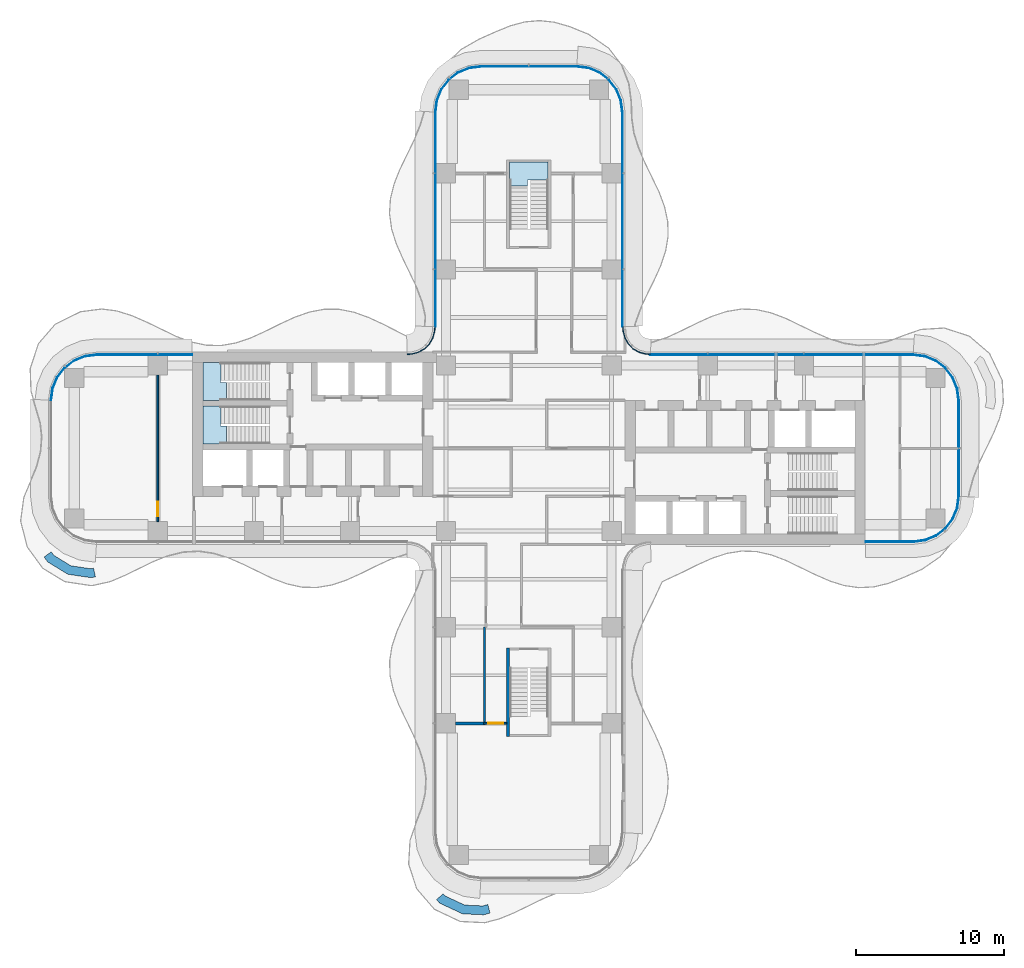
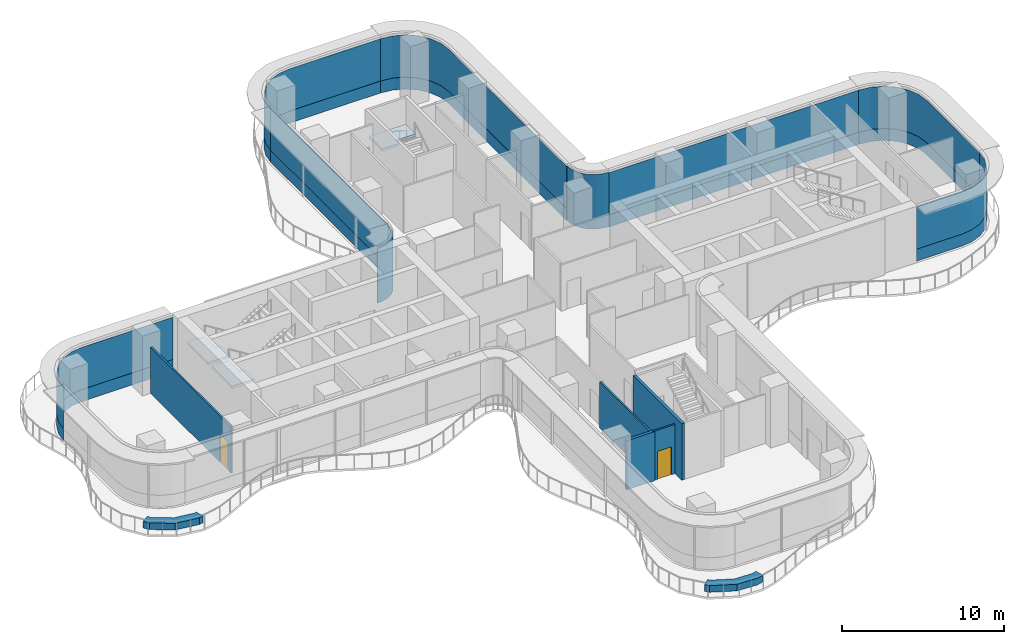
# One storey, part 15 of 21: 16 plates, 7 walls, 3 slabs, 2 doors, 2 openings, 12 elements without a shape of their own.
"""IFC4 building model written with IfcOpenShell, lengths in metres."""

from ifc_helpers import new_model, si_unit, direction, frame, frame_2d, origin, place, context, subcontext, project, spatial, polyline, rectangle, outline, extrude, source, transform, mapped, material, layer, layer_set, type_object, element, fill, aggregate, save


model = new_model("IFC4")

# Units and contexts
model_context = context("Model", 3, precision=1e-05, world=origin(), true_north=direction((0.0, 1.0)))
body_context = subcontext(model_context, "Body", "Model", "MODEL_VIEW")
ifc_project = project(units=[si_unit("LENGTHUNIT", "METRE"), si_unit("AREAUNIT", "SQUARE_METRE"), si_unit("VOLUMEUNIT", "CUBIC_METRE"), si_unit("PLANEANGLEUNIT", "RADIAN"), si_unit("MASSUNIT", "GRAM", prefix="KILO")], contexts=[model_context])

# Site, building, storey
site_placement = place(None, origin())
site = spatial("IfcSite", under=ifc_project, at=site_placement, CompositionType="ELEMENT")
building_placement = place(site_placement, origin())
building = spatial("IfcBuilding", under=site, at=building_placement, Name="Trellis Farm Tower", CompositionType="ELEMENT")
storey_placement = place(building_placement, frame((0.0, 0.0, 106.5)))
storey = spatial("IfcBuildingStorey", under=building, at=storey_placement, Name="L22", CompositionType="ELEMENT", Elevation=106.5)

# Stair, slab
ifc_material_1 = material(Name="Concrete C50/60", Category="concrete")
stair_type = type_object("IfcStairType", Name="CORE EXIT STAIR 26 RISERS 173 MM", PredefinedType="HALF_TURN_STAIR", material=ifc_material_1)
placement_1 = place(storey_placement, origin())
stair_1 = element("IfcStair", 1, at=placement_1, inside=storey, type_object=stair_type, Name="Exit stair N", PredefinedType="HALF_TURN_STAIR")
ifc_layer_1 = layer(ifc_material_1, 0.18994140625)
ifc_layer_set_1 = layer_set([ifc_layer_1], Name="CORE STAIR LANDING 190 CONCRETE C50/60")
slab_type = type_object("IfcSlabType", Name="CORE STAIR LANDING 190 CONCRETE C50/60", PredefinedType="LANDING", material=ifc_layer_set_1)
shared_shape_1 = source(origin(), body_context, "Body", "SweptSolid", [
    extrude(outline(polyline([(-0.10009765625, 17.753173828125), (-1.300048828125, 17.753173828125), (-1.300048828125, 18.14990234375), (-1.300048828125, 19.35009765625), (1.300048828125, 19.35009765625), (1.300048828125, 18.14990234375), (1.300048828125, 18.139892578125), (0.10009765625, 18.139892578125), (0.10009765625, 18.14990234375), (-0.10009765625, 18.14990234375), (-0.10009765625, 17.753173828125)])), origin(), (0.0, 0.0, 1.0), 0.18994140625),
])
placement_2 = place(storey_placement, frame((0.0, 0.0, 2.06005859375)))
slab_1 = element("IfcSlab", 2, at=placement_2, type_object=slab_type, Name="STN landing 1", PredefinedType="LANDING", context=body_context, shape_type="MappedRepresentation", body=[
    mapped(shared_shape_1, transform((0.0, 0.0, 0.0))),
])
aggregate(stair_1, [slab_1])

stair_2 = element("IfcStair", 3, at=placement_1, inside=storey, type_object=stair_type, Name="Exit stair W1", PredefinedType="HALF_TURN_STAIR")
shared_shape_2 = source(origin(), body_context, "Body", "SweptSolid", [
    extrude(outline(polyline([(-20.453125, 4.449951171875), (-20.453125, 3.25), (-20.85009765625, 3.25), (-22.050048828125, 3.25), (-22.050048828125, 5.800048828125), (-20.85009765625, 5.800048828125), (-20.840087890625, 5.800048828125), (-20.840087890625, 4.60009765625), (-20.85009765625, 4.60009765625), (-20.85009765625, 4.449951171875), (-20.453125, 4.449951171875)])), origin(), (0.0, 0.0, 1.0), 0.18994140625),
])
slab_2 = element("IfcSlab", 4, at=placement_2, type_object=slab_type, Name="STW1 landing 1", PredefinedType="LANDING", context=body_context, shape_type="MappedRepresentation", body=[
    mapped(shared_shape_2, transform((0.0, 0.0, 0.0))),
])
aggregate(stair_2, [slab_2])

stair_3 = element("IfcStair", 5, at=placement_1, inside=storey, type_object=stair_type, Name="Exit stair W2", PredefinedType="HALF_TURN_STAIR")
shared_shape_3 = source(origin(), body_context, "Body", "SweptSolid", [
    extrude(outline(polyline([(-20.453125, 1.5), (-20.453125, 0.300048828125), (-20.85009765625, 0.300048828125), (-22.050048828125, 0.300048828125), (-22.050048828125, 2.85009765625), (-20.85009765625, 2.85009765625), (-20.840087890625, 2.85009765625), (-20.840087890625, 1.64990234375), (-20.85009765625, 1.64990234375), (-20.85009765625, 1.5), (-20.453125, 1.5)])), origin(), (0.0, 0.0, 1.0), 0.18994140625),
])
slab_3 = element("IfcSlab", 6, at=placement_2, type_object=slab_type, Name="STW2 landing 1", PredefinedType="LANDING", context=body_context, shape_type="MappedRepresentation", body=[
    mapped(shared_shape_3, transform((0.0, 0.0, 0.0))),
])
aggregate(stair_3, [slab_3])

# Curtain wall, plate
ifc_material_2 = material(Name="Aluminium and glass curtain wall", Category="aluminium")
ifc_layer_2 = layer(ifc_material_2, 0.166015625)
ifc_layer_set_2 = layer_set([ifc_layer_2], Name="WINTER GARDEN CURTAIN WALL CW3")
curtain_wall_type_1 = type_object("IfcCurtainWallType", Name="WINTER GARDEN CURTAIN WALL CW3", PredefinedType="NOTDEFINED", material=ifc_layer_set_2)
curtain_wall_1 = element("IfcCurtainWall", 7, at=placement_1, inside=storey, type_object=curtain_wall_type_1, Name="CW3 003", PredefinedType="NOTDEFINED")
ifc_material_3 = material(Name="Clear insulated glass", Category="glass")
ifc_layer_3 = layer(ifc_material_3, 0.0458984375)
ifc_layer_set_3 = layer_set([ifc_layer_3], Name="CW3 GLASS PANEL 46")
plate_type_1 = type_object("IfcPlateType", Name="CW3 GLASS PANEL 46", PredefinedType="CURTAIN_PANEL", material=ifc_layer_set_3)
shared_shape_4 = source(origin(), body_context, "Body", "SweptSolid", [
    extrude(outline(polyline([(8.2275390625, 6.3798828125), (8.0078125, 6.394287109375), (7.89208984375, 6.40966796875), (7.462158203125, 6.52490234375), (7.070556640625, 6.7509765625), (6.7509765625, 7.070556640625), (6.52490234375, 7.462158203125), (6.40966796875, 7.89208984375), (6.394287109375, 8.0078125), (6.3798828125, 8.2275390625), (6.333984375, 8.22607421875), (6.3486328125, 8.003173828125), (6.364501953125, 7.883056640625), (6.48193359375, 7.4443359375), (6.714111328125, 7.04248046875), (7.04248046875, 6.714111328125), (7.4443359375, 6.48193359375), (7.883056640625, 6.364501953125), (8.003173828125, 6.3486328125), (8.22607421875, 6.333984375), (8.2275390625, 6.3798828125)])), origin(), (0.0, 0.0, 1.0), 4.10009765625),
])
plate_1 = element("IfcPlate", 8, at=placement_1, type_object=plate_type_1, Name="PL3 003", PredefinedType="CURTAIN_PANEL", context=body_context, shape_type="MappedRepresentation", body=[
    mapped(shared_shape_4, transform((0.0, 0.0, 0.0))),
])
aggregate(curtain_wall_1, [plate_1])

curtain_wall_2 = element("IfcCurtainWall", 9, at=placement_1, inside=storey, type_object=curtain_wall_type_1, Name="CW3 004", PredefinedType="NOTDEFINED")
shared_shape_5 = source(origin(), body_context, "Body", "SweptSolid", [
    extrude(outline(polyline([(-6.3798828125, 8.2275390625), (-6.394287109375, 8.0078125), (-6.40966796875, 7.89208984375), (-6.52490234375, 7.462158203125), (-6.7509765625, 7.070556640625), (-7.070556640625, 6.7509765625), (-7.462158203125, 6.52490234375), (-7.89208984375, 6.40966796875), (-8.0078125, 6.394287109375), (-8.2275390625, 6.3798828125), (-8.22607421875, 6.333984375), (-8.003173828125, 6.3486328125), (-7.883056640625, 6.364501953125), (-7.4443359375, 6.48193359375), (-7.04248046875, 6.714111328125), (-6.714111328125, 7.04248046875), (-6.48193359375, 7.4443359375), (-6.364501953125, 7.883056640625), (-6.3486328125, 8.003173828125), (-6.333984375, 8.22607421875), (-6.3798828125, 8.2275390625)])), origin(), (0.0, 0.0, 1.0), 4.10009765625),
])
plate_2 = element("IfcPlate", 10, at=placement_1, type_object=plate_type_1, Name="PL3 004", PredefinedType="CURTAIN_PANEL", context=body_context, shape_type="MappedRepresentation", body=[
    mapped(shared_shape_5, transform((0.0, 0.0, 0.0))),
])
aggregate(curtain_wall_2, [plate_2])

# Curtain wall, plates
ifc_layer_4 = layer(ifc_material_2, 0.18994140625)
ifc_layer_set_4 = layer_set([ifc_layer_4], Name="RIBBON CURTAIN WALL CW1")
curtain_wall_type_2 = type_object("IfcCurtainWallType", Name="RIBBON CURTAIN WALL CW1", PredefinedType="NOTDEFINED", material=ifc_layer_set_4)
curtain_wall_3 = element("IfcCurtainWall", 11, at=placement_1, inside=storey, type_object=curtain_wall_type_2, Name="CW1 012", PredefinedType="NOTDEFINED")
ifc_layer_5 = layer(ifc_material_3, 0.0400390625)
ifc_layer_set_5 = layer_set([ifc_layer_5], Name="CW1 GLASS PANEL 40")
plate_type_2 = type_object("IfcPlateType", Name="CW1 GLASS PANEL 40", PredefinedType="CURTAIN_PANEL", material=ifc_layer_set_5)
shared_shape_6 = source(origin(), body_context, "Body", "SweptSolid", [
    extrude(outline(polyline([(-22.780029296875, 6.35009765625), (-29.240234375, 6.35009765625), (-30.052001953125, 6.2431640625), (-30.79931640625, 5.93359375), (-31.441162109375, 5.441162109375), (-31.93359375, 4.79931640625), (-32.2431640625, 4.052001953125), (-32.35009765625, 3.240234375), (-32.31005859375, 3.237548828125), (-32.2041015625, 4.04150390625), (-31.898681640625, 4.779296875), (-31.41259765625, 5.41259765625), (-30.779296875, 5.898681640625), (-30.04150390625, 6.2041015625), (-29.237548828125, 6.31005859375), (-22.780029296875, 6.31005859375), (-22.780029296875, 6.35009765625)])), origin(), (0.0, 0.0, 1.0), 3.170166015625),
])
placement_3 = place(storey_placement, frame((0.0, 0.0, 0.89990234375)))
plate_3 = element("IfcPlate", 12, at=placement_3, type_object=plate_type_2, Name="PL1 012", PredefinedType="CURTAIN_PANEL", context=body_context, shape_type="MappedRepresentation", body=[
    mapped(shared_shape_6, transform((0.0, 0.0, 0.0))),
])
ifc_material_4 = material(Name="Sandstone faced insulated panel", Category="masonry")
ifc_layer_6 = layer(ifc_material_4, 0.050048828125)
ifc_layer_set_6 = layer_set([ifc_layer_6], Name="CW1 STONE SPANDREL PANEL 50")
plate_type_3 = type_object("IfcPlateType", Name="CW1 STONE SPANDREL PANEL 50", PredefinedType="CURTAIN_PANEL", material=ifc_layer_set_6)
shared_shape_7 = source(origin(), body_context, "Body", "SweptSolid", [
    extrude(outline(polyline([(-22.780029296875, 6.35009765625), (-29.240234375, 6.35009765625), (-30.052001953125, 6.2431640625), (-30.79931640625, 5.93359375), (-31.441162109375, 5.441162109375), (-31.93359375, 4.79931640625), (-32.2431640625, 4.052001953125), (-32.35009765625, 3.240234375), (-32.300048828125, 3.23681640625), (-32.1943359375, 4.0390625), (-31.889892578125, 4.774169921875), (-31.405517578125, 5.405517578125), (-30.774169921875, 5.889892578125), (-30.0390625, 6.1943359375), (-29.23681640625, 6.300048828125), (-22.780029296875, 6.300048828125), (-22.780029296875, 6.35009765625)])), origin(), (0.0, 0.0, 1.0), 0.89990234375),
])
plate_4 = element("IfcPlate", 13, at=placement_1, type_object=plate_type_3, Name="PS1 012", PredefinedType="CURTAIN_PANEL", context=body_context, shape_type="MappedRepresentation", body=[
    mapped(shared_shape_7, transform((0.0, 0.0, 0.0))),
])
aggregate(curtain_wall_3, [plate_3, plate_4])

curtain_wall_4 = element("IfcCurtainWall", 14, at=placement_1, inside=storey, type_object=curtain_wall_type_2, Name="CW1 009", PredefinedType="NOTDEFINED")
shared_shape_8 = source(origin(), body_context, "Body", "SweptSolid", [
    extrude(outline(polyline([(6.35009765625, 8.2265625), (6.35009765625, 22.740234375), (6.2431640625, 23.552001953125), (5.93359375, 24.29931640625), (5.441162109375, 24.941162109375), (4.79931640625, 25.43359375), (4.052001953125, 25.7431640625), (3.240234375, 25.85009765625), (3.237548828125, 25.81005859375), (4.04150390625, 25.7041015625), (4.779296875, 25.398681640625), (5.41259765625, 24.91259765625), (5.898681640625, 24.279296875), (6.2041015625, 23.54150390625), (6.31005859375, 22.737548828125), (6.31005859375, 8.22509765625), (6.35009765625, 8.2265625)])), origin(), (0.0, 0.0, 1.0), 3.170166015625),
])
plate_5 = element("IfcPlate", 15, at=placement_3, type_object=plate_type_2, Name="PL1 009", PredefinedType="CURTAIN_PANEL", context=body_context, shape_type="MappedRepresentation", body=[
    mapped(shared_shape_8, transform((0.0, 0.0, 0.0))),
])
shared_shape_9 = source(origin(), body_context, "Body", "SweptSolid", [
    extrude(outline(polyline([(6.35009765625, 8.2265625), (6.35009765625, 22.740234375), (6.2431640625, 23.552001953125), (5.93359375, 24.29931640625), (5.441162109375, 24.941162109375), (4.79931640625, 25.43359375), (4.052001953125, 25.7431640625), (3.240234375, 25.85009765625), (3.23681640625, 25.800048828125), (4.0390625, 25.6943359375), (4.774169921875, 25.389892578125), (5.405517578125, 24.905517578125), (5.889892578125, 24.274169921875), (6.1943359375, 23.5390625), (6.300048828125, 22.73681640625), (6.300048828125, 8.224853515625), (6.35009765625, 8.2265625)])), origin(), (0.0, 0.0, 1.0), 0.89990234375),
])
plate_6 = element("IfcPlate", 16, at=placement_1, type_object=plate_type_3, Name="PS1 009", PredefinedType="CURTAIN_PANEL", context=body_context, shape_type="MappedRepresentation", body=[
    mapped(shared_shape_9, transform((0.0, 0.0, 0.0))),
])
aggregate(curtain_wall_4, [plate_5, plate_6])

curtain_wall_5 = element("IfcCurtainWall", 17, at=placement_1, inside=storey, type_object=curtain_wall_type_2, Name="CW1 011", PredefinedType="NOTDEFINED")
shared_shape_10 = source(origin(), body_context, "Body", "SweptSolid", [
    extrude(outline(polyline([(-6.35009765625, 22.740234375), (-6.35009765625, 8.2265625), (-6.31005859375, 8.22509765625), (-6.31005859375, 22.737548828125), (-6.35009765625, 22.740234375)])), origin(), (0.0, 0.0, 1.0), 3.170166015625),
])
plate_7 = element("IfcPlate", 18, at=placement_3, type_object=plate_type_2, Name="PL1 011", PredefinedType="CURTAIN_PANEL", context=body_context, shape_type="MappedRepresentation", body=[
    mapped(shared_shape_10, transform((0.0, 0.0, 0.0))),
])
shared_shape_11 = source(origin(), body_context, "Body", "SweptSolid", [
    extrude(outline(polyline([(-6.35009765625, 22.740234375), (-6.35009765625, 8.2265625), (-6.300048828125, 8.224853515625), (-6.300048828125, 22.73681640625), (-6.35009765625, 22.740234375)])), origin(), (0.0, 0.0, 1.0), 0.89990234375),
])
plate_8 = element("IfcPlate", 19, at=placement_1, type_object=plate_type_3, Name="PS1 011", PredefinedType="CURTAIN_PANEL", context=body_context, shape_type="MappedRepresentation", body=[
    mapped(shared_shape_11, transform((0.0, 0.0, 0.0))),
])
aggregate(curtain_wall_5, [plate_7, plate_8])

curtain_wall_6 = element("IfcCurtainWall", 20, at=placement_1, inside=storey, type_object=curtain_wall_type_2, Name="CW1 010", PredefinedType="NOTDEFINED")
shared_shape_12 = source(origin(), body_context, "Body", "SweptSolid", [
    extrude(outline(polyline([(3.240234375, 25.85009765625), (-3.240234375, 25.85009765625), (-4.052001953125, 25.7431640625), (-4.79931640625, 25.43359375), (-5.441162109375, 24.941162109375), (-5.93359375, 24.29931640625), (-6.2431640625, 23.552001953125), (-6.35009765625, 22.740234375), (-6.31005859375, 22.737548828125), (-6.2041015625, 23.54150390625), (-5.898681640625, 24.279296875), (-5.41259765625, 24.91259765625), (-4.779296875, 25.398681640625), (-4.04150390625, 25.7041015625), (-3.237548828125, 25.81005859375), (3.237548828125, 25.81005859375), (3.240234375, 25.85009765625)])), origin(), (0.0, 0.0, 1.0), 3.170166015625),
])
plate_9 = element("IfcPlate", 21, at=placement_3, type_object=plate_type_2, Name="PL1 010", PredefinedType="CURTAIN_PANEL", context=body_context, shape_type="MappedRepresentation", body=[
    mapped(shared_shape_12, transform((0.0, 0.0, 0.0))),
])
shared_shape_13 = source(origin(), body_context, "Body", "SweptSolid", [
    extrude(outline(polyline([(3.240234375, 25.85009765625), (-3.240234375, 25.85009765625), (-4.052001953125, 25.7431640625), (-4.79931640625, 25.43359375), (-5.441162109375, 24.941162109375), (-5.93359375, 24.29931640625), (-6.2431640625, 23.552001953125), (-6.35009765625, 22.740234375), (-6.300048828125, 22.73681640625), (-6.1943359375, 23.5390625), (-5.889892578125, 24.274169921875), (-5.405517578125, 24.905517578125), (-4.774169921875, 25.389892578125), (-4.0390625, 25.6943359375), (-3.23681640625, 25.800048828125), (3.23681640625, 25.800048828125), (3.240234375, 25.85009765625)])), origin(), (0.0, 0.0, 1.0), 0.89990234375),
])
plate_10 = element("IfcPlate", 22, at=placement_1, type_object=plate_type_3, Name="PS1 010", PredefinedType="CURTAIN_PANEL", context=body_context, shape_type="MappedRepresentation", body=[
    mapped(shared_shape_13, transform((0.0, 0.0, 0.0))),
])
aggregate(curtain_wall_6, [plate_9, plate_10])

curtain_wall_7 = element("IfcCurtainWall", 23, at=placement_1, inside=storey, type_object=curtain_wall_type_2, Name="CW1 006", PredefinedType="NOTDEFINED")
shared_shape_14 = source(origin(), body_context, "Body", "SweptSolid", [
    extrude(outline(polyline([(22.780029296875, -6.35009765625), (25.990234375, -6.35009765625), (26.802001953125, -6.2431640625), (27.54931640625, -5.93359375), (28.191162109375, -5.441162109375), (28.68359375, -4.79931640625), (28.9931640625, -4.052001953125), (29.10009765625, -3.240234375), (29.06005859375, -3.237548828125), (28.9541015625, -4.04150390625), (28.648681640625, -4.779296875), (28.16259765625, -5.41259765625), (27.529296875, -5.898681640625), (26.79150390625, -6.2041015625), (25.987548828125, -6.31005859375), (22.780029296875, -6.31005859375), (22.780029296875, -6.35009765625)])), origin(), (0.0, 0.0, 1.0), 3.170166015625),
])
plate_11 = element("IfcPlate", 24, at=placement_3, type_object=plate_type_2, Name="PL1 006", PredefinedType="CURTAIN_PANEL", context=body_context, shape_type="MappedRepresentation", body=[
    mapped(shared_shape_14, transform((0.0, 0.0, 0.0))),
])
shared_shape_15 = source(origin(), body_context, "Body", "SweptSolid", [
    extrude(outline(polyline([(22.780029296875, -6.35009765625), (25.990234375, -6.35009765625), (26.802001953125, -6.2431640625), (27.54931640625, -5.93359375), (28.191162109375, -5.441162109375), (28.68359375, -4.79931640625), (28.9931640625, -4.052001953125), (29.10009765625, -3.240234375), (29.050048828125, -3.23681640625), (28.9443359375, -4.0390625), (28.639892578125, -4.774169921875), (28.155517578125, -5.405517578125), (27.524169921875, -5.889892578125), (26.7890625, -6.1943359375), (25.98681640625, -6.300048828125), (22.780029296875, -6.300048828125), (22.780029296875, -6.35009765625)])), origin(), (0.0, 0.0, 1.0), 0.89990234375),
])
plate_12 = element("IfcPlate", 25, at=placement_1, type_object=plate_type_3, Name="PS1 006", PredefinedType="CURTAIN_PANEL", context=body_context, shape_type="MappedRepresentation", body=[
    mapped(shared_shape_15, transform((0.0, 0.0, 0.0))),
])
aggregate(curtain_wall_7, [plate_11, plate_12])

curtain_wall_8 = element("IfcCurtainWall", 26, at=placement_1, inside=storey, type_object=curtain_wall_type_2, Name="CW1 008", PredefinedType="NOTDEFINED")
shared_shape_16 = source(origin(), body_context, "Body", "SweptSolid", [
    extrude(outline(polyline([(25.990234375, 6.35009765625), (8.2265625, 6.35009765625), (8.22509765625, 6.31005859375), (25.987548828125, 6.31005859375), (25.990234375, 6.35009765625)])), origin(), (0.0, 0.0, 1.0), 3.170166015625),
])
plate_13 = element("IfcPlate", 27, at=placement_3, type_object=plate_type_2, Name="PL1 008", PredefinedType="CURTAIN_PANEL", context=body_context, shape_type="MappedRepresentation", body=[
    mapped(shared_shape_16, transform((0.0, 0.0, 0.0))),
])
shared_shape_17 = source(origin(), body_context, "Body", "SweptSolid", [
    extrude(outline(polyline([(25.990234375, 6.35009765625), (8.2265625, 6.35009765625), (8.224853515625, 6.300048828125), (25.98681640625, 6.300048828125), (25.990234375, 6.35009765625)])), origin(), (0.0, 0.0, 1.0), 0.89990234375),
])
plate_14 = element("IfcPlate", 28, at=placement_1, type_object=plate_type_3, Name="PS1 008", PredefinedType="CURTAIN_PANEL", context=body_context, shape_type="MappedRepresentation", body=[
    mapped(shared_shape_17, transform((0.0, 0.0, 0.0))),
])
aggregate(curtain_wall_8, [plate_13, plate_14])

curtain_wall_9 = element("IfcCurtainWall", 29, at=placement_1, inside=storey, type_object=curtain_wall_type_2, Name="CW1 007", PredefinedType="NOTDEFINED")
shared_shape_18 = source(origin(), body_context, "Body", "SweptSolid", [
    extrude(outline(polyline([(29.10009765625, -3.240234375), (29.10009765625, 3.240234375), (28.9931640625, 4.052001953125), (28.68359375, 4.79931640625), (28.191162109375, 5.441162109375), (27.54931640625, 5.93359375), (26.802001953125, 6.2431640625), (25.990234375, 6.35009765625), (25.987548828125, 6.31005859375), (26.79150390625, 6.2041015625), (27.529296875, 5.898681640625), (28.16259765625, 5.41259765625), (28.648681640625, 4.779296875), (28.9541015625, 4.04150390625), (29.06005859375, 3.237548828125), (29.06005859375, -3.237548828125), (29.10009765625, -3.240234375)])), origin(), (0.0, 0.0, 1.0), 3.170166015625),
])
plate_15 = element("IfcPlate", 30, at=placement_3, type_object=plate_type_2, Name="PL1 007", PredefinedType="CURTAIN_PANEL", context=body_context, shape_type="MappedRepresentation", body=[
    mapped(shared_shape_18, transform((0.0, 0.0, 0.0))),
])
shared_shape_19 = source(origin(), body_context, "Body", "SweptSolid", [
    extrude(outline(polyline([(29.10009765625, -3.240234375), (29.10009765625, 3.240234375), (28.9931640625, 4.052001953125), (28.68359375, 4.79931640625), (28.191162109375, 5.441162109375), (27.54931640625, 5.93359375), (26.802001953125, 6.2431640625), (25.990234375, 6.35009765625), (25.98681640625, 6.300048828125), (26.7890625, 6.1943359375), (27.524169921875, 5.889892578125), (28.155517578125, 5.405517578125), (28.639892578125, 4.774169921875), (28.9443359375, 4.0390625), (29.050048828125, 3.23681640625), (29.050048828125, -3.23681640625), (29.10009765625, -3.240234375)])), origin(), (0.0, 0.0, 1.0), 0.89990234375),
])
plate_16 = element("IfcPlate", 31, at=placement_1, type_object=plate_type_3, Name="PS1 007", PredefinedType="CURTAIN_PANEL", context=body_context, shape_type="MappedRepresentation", body=[
    mapped(shared_shape_19, transform((0.0, 0.0, 0.0))),
])
aggregate(curtain_wall_9, [plate_15, plate_16])

# Walls
ifc_material_5 = material(Name="Sandstone faced masonry planter", Category="masonry")
ifc_layer_7 = layer(ifc_material_5, 0.60009765625)
ifc_layer_set_7 = layer_set([ifc_layer_7], Name="PLANTER BED 600")
wall_type_1 = type_object("IfcWallType", Name="PLANTER BED 600", PredefinedType="USERDEFINED", material=ifc_layer_set_7)
element("IfcWall", 32, at=placement_1, inside=storey, type_object=wall_type_1, Name="PLANTER bed", ObjectType="PLANTER", PredefinedType="USERDEFINED", context=body_context, shape_type="SweptSolid", body=[
    extrude(outline(polyline([(-29.606201171875, -8.75537109375), (-31.189697265625, -8.518798828125), (-32.551513671875, -7.685302734375), (-32.7919921875, -7.3505859375), (-32.3046875, -7.000244140625), (-32.135009765625, -7.23681640625), (-30.98046875, -7.943603515625), (-29.626708984375, -8.1455078125), (-29.446044921875, -8.10595703125), (-29.317626953125, -8.692138671875), (-29.606201171875, -8.75537109375)])), origin(), (0.0, 0.0, 1.0), 0.5),
])
element("IfcWall", 33, at=placement_1, inside=storey, type_object=wall_type_1, Name="PLANTER bed", ObjectType="PLANTER", PredefinedType="USERDEFINED", context=body_context, shape_type="SweptSolid", body=[
    extrude(outline(polyline([(-4.49169921875, -31.488525390625), (-6.04541015625, -30.76220703125), (-6.249267578125, -30.525146484375), (-5.79443359375, -30.1337890625), (-5.674560546875, -30.273193359375), (-4.34521484375, -30.89453125), (-3.12353515625, -30.950927734375), (-2.77587890625, -30.85986328125), (-2.62353515625, -31.440185546875), (-3.059814453125, -31.5546875), (-4.49169921875, -31.488525390625)])), origin(), (0.0, 0.0, 1.0), 0.5),
])
ifc_material_6 = material(Name="Concrete C70/85", Category="concrete")
ifc_layer_8 = layer(ifc_material_6, 0.199951171875)
ifc_layer_set_8 = layer_set([ifc_layer_8], Name="CORE STAIR ENCLOSURE WALL 200 CONCRETE C70/85")
wall_type_2 = type_object("IfcWallType", Name="CORE STAIR ENCLOSURE WALL 200 CONCRETE C70/85", PredefinedType="SHEAR", material=ifc_layer_set_8)
shared_shape_20 = source(origin(), body_context, "Body", "SweptSolid", [
    extrude(rectangle(XDim=6.0, YDim=0.199951171875, at=frame_2d((3.0, 0.0))), origin(), (0.0, 0.0, 1.0), 4.25),
])
wall_3_placement = place(storey_placement, frame((-1.39990234375, -13.5, 0.0), z_axis=(0.0, 0.0, 1.0), x_axis=(0.0, -1.0, 0.0)))
element("IfcWall", 34, at=wall_3_placement, inside=storey, type_object=wall_type_2, Name="Stair enclosure wall", PredefinedType="SHEAR", context=body_context, shape_type="MappedRepresentation", body=[
    mapped(shared_shape_20, transform((0.0, 0.0, 0.0))),
])

# Wall, opening, door
ifc_material_7 = material(Name="Plasterboard on steel studs, mineral wool", Category="steel")
ifc_layer_9 = layer(ifc_material_7, 0.125)
ifc_layer_set_9 = layer_set([ifc_layer_9], Name="PARTITION 125 STUD EI 60")
wall_type_3 = type_object("IfcWallType", Name="PARTITION 125 STUD EI 60", PredefinedType="PARTITIONING", material=ifc_layer_set_9)
shared_shape_21 = source(origin(), body_context, "Body", "SweptSolid", [
    extrude(rectangle(XDim=1.5625, YDim=0.125, at=frame_2d((0.78125, 0.0))), origin(), (0.0, 0.0, 1.0), 3.697021484375),
])
wall_4_placement = place(storey_placement, frame((-1.5, -18.60009765625, 0.0), z_axis=(0.0, 0.0, 1.0), x_axis=(-1.0, 0.0, 0.0)))
wall_4 = element("IfcWall", 35, at=wall_4_placement, inside=storey, type_object=wall_type_3, Name="Partition PW1", PredefinedType="PARTITIONING", context=body_context, shape_type="MappedRepresentation", body=[
    mapped(shared_shape_21, transform((0.0, 0.0, 0.0))),
])
shared_shape_22 = source(origin(), body_context, "Body", "SweptSolid", [
    extrude(rectangle(XDim=1.0, YDim=2.10009765625, at=frame_2d((0.5, 1.050048828125))), frame((0.0, 0.072509765625, 0.0), z_axis=(0.0, -1.0, 0.0), x_axis=(1.0, 0.0, 0.0)), (0.0, 0.0, 1.0), 0.14501953125),
])
opening_1_placement = place(wall_4_placement, frame((0.25, 0.0, 0.0)))
opening_1 = element("IfcOpeningElement", 36, at=opening_1_placement, cuts=wall_4, Name="Opening D101", PredefinedType="OPENING", context=body_context, shape_type="MappedRepresentation", body=[
    mapped(shared_shape_22, transform((0.0, 0.0, 0.0))),
])
ifc_material_8 = material(Name="Fire-rated timber door leaf in a hollow metal frame", Category="wood")
door_type = type_object("IfcDoorType", Name="DOOR 1000x2100 FD30S", OperationType="NOTDEFINED", PredefinedType="DOOR", material=ifc_material_8)
shared_shape_23 = source(origin(), body_context, "Body", "SweptSolid", [
    extrude(rectangle(XDim=1.0, YDim=2.10009765625, at=frame_2d((0.5, 1.050048828125))), frame((0.0, 0.02490234375, 0.0), z_axis=(0.0, -1.0, 0.0), x_axis=(1.0, 0.0, 0.0)), (0.0, 0.0, 1.0), 0.050048828125),
])
door_1_placement = place(opening_1_placement, origin())
door_1 = element("IfcDoor", 37, at=door_1_placement, inside=storey, type_object=door_type, Name="Door D101", OperationType="SINGLE_SWING_LEFT", OverallHeight=2.10009765625, OverallWidth=1.0, PredefinedType="DOOR", context=body_context, shape_type="MappedRepresentation", body=[
    mapped(shared_shape_23, transform((0.0, 0.0, 0.0))),
])
fill(opening_1, door_1)

# Wall
ifc_material_9 = material(Name="Lightweight blockwork, plastered", Category="masonry")
ifc_layer_10 = layer(ifc_material_9, 0.199951171875)
ifc_layer_set_10 = layer_set([ifc_layer_10], Name="BLOCK WALL 200 EI 120")
wall_type_4 = type_object("IfcWallType", Name="BLOCK WALL 200 EI 120", PredefinedType="PARTITIONING", material=ifc_layer_set_10)
shared_shape_24 = source(origin(), body_context, "Body", "SweptSolid", [
    extrude(rectangle(XDim=2.012451171875, YDim=0.199951171875, at=frame_2d((1.00634765625, 0.0))), origin(), (0.0, 0.0, 1.0), 3.697021484375),
])
wall_5_placement = place(storey_placement, frame((-4.949951171875, -18.60009765625, 0.0), z_axis=(0.0, 0.0, 1.0), x_axis=(1.0, 0.0, 0.0)))
element("IfcWall", 38, at=wall_5_placement, inside=storey, type_object=wall_type_4, Name="Partition PW3", PredefinedType="PARTITIONING", context=body_context, shape_type="MappedRepresentation", body=[
    mapped(shared_shape_24, transform((0.0, 0.0, 0.0))),
])

# Wall, opening, door
shared_shape_25 = source(origin(), body_context, "Body", "SweptSolid", [
    extrude(rectangle(XDim=9.89990234375, YDim=0.125, at=frame_2d((4.949951171875, 0.0))), origin(), (0.0, 0.0, 1.0), 3.4677734375),
])
wall_6_placement = place(storey_placement, frame((-25.10009765625, -4.949951171875, 0.0), z_axis=(0.0, 0.0, 1.0), x_axis=(0.0, 1.0, 0.0)))
wall_6 = element("IfcWall", 39, at=wall_6_placement, inside=storey, type_object=wall_type_3, Name="Partition PW1", PredefinedType="PARTITIONING", context=body_context, shape_type="MappedRepresentation", body=[
    mapped(shared_shape_25, transform((0.0, 0.0, 0.0))),
])
opening_2_placement = place(wall_6_placement, frame((0.35009765625, 0.0, 0.0)))
opening_2 = element("IfcOpeningElement", 40, at=opening_2_placement, cuts=wall_6, Name="Opening D103", PredefinedType="OPENING", context=body_context, shape_type="MappedRepresentation", body=[
    mapped(shared_shape_22, transform((0.0, 0.0, 0.0))),
])
door_2_placement = place(opening_2_placement, origin())
door_2 = element("IfcDoor", 41, at=door_2_placement, inside=storey, type_object=door_type, Name="Door D103", OperationType="SINGLE_SWING_LEFT", OverallHeight=2.10009765625, OverallWidth=1.0, PredefinedType="DOOR", context=body_context, shape_type="MappedRepresentation", body=[
    mapped(shared_shape_23, transform((0.0, 0.0, 0.0))),
])
fill(opening_2, door_2)

# Wall
shared_shape_26 = source(origin(), body_context, "Body", "SweptSolid", [
    extrude(rectangle(XDim=6.39990234375, YDim=0.125, at=frame_2d((3.199951171875, 0.0))), origin(), (0.0, 0.0, 1.0), 3.4677734375),
])
wall_7_placement = place(storey_placement, frame((-3.0, -18.5, 0.0), z_axis=(0.0, 0.0, 1.0), x_axis=(0.0, 1.0, 0.0)))
element("IfcWall", 42, at=wall_7_placement, inside=storey, type_object=wall_type_3, Name="Partition PW1", PredefinedType="PARTITIONING", context=body_context, shape_type="MappedRepresentation", body=[
    mapped(shared_shape_26, transform((0.0, 0.0, 0.0))),
])

save(model, "model.ifc")
